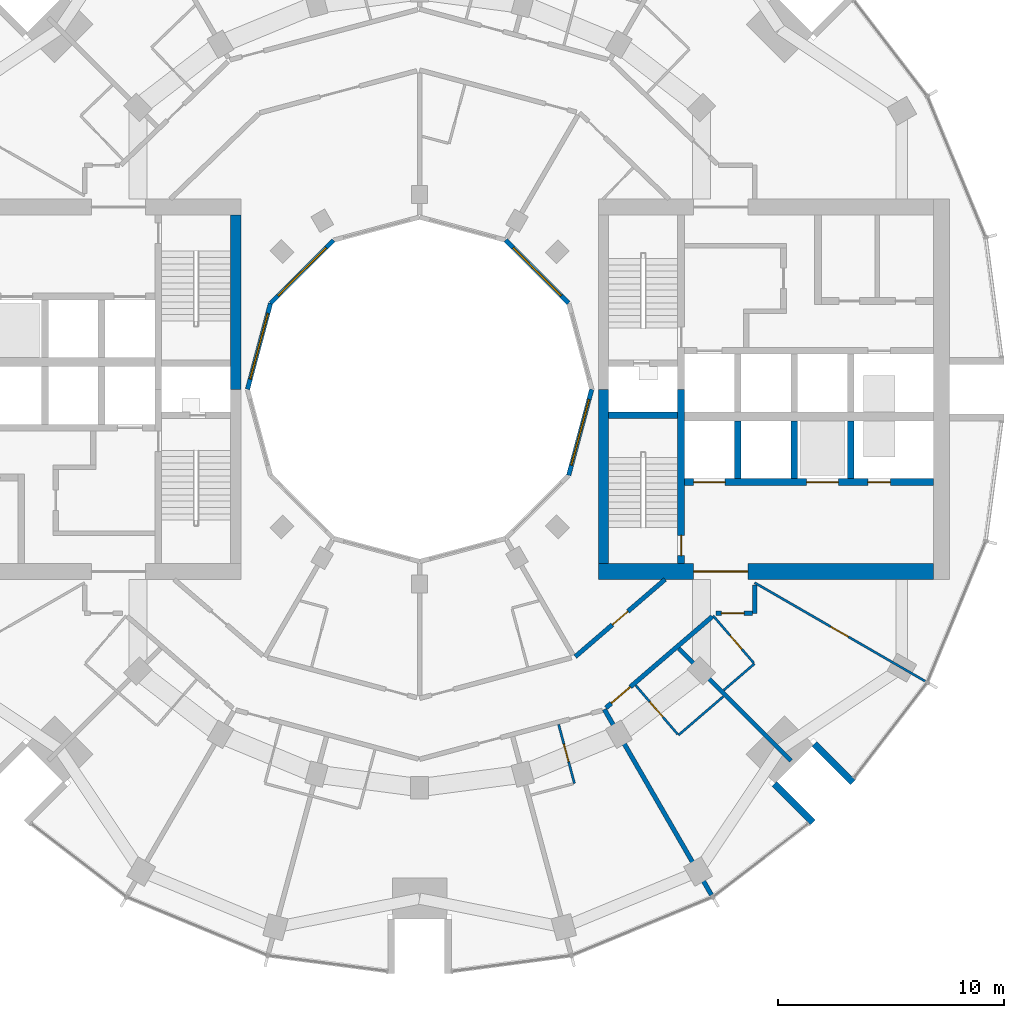
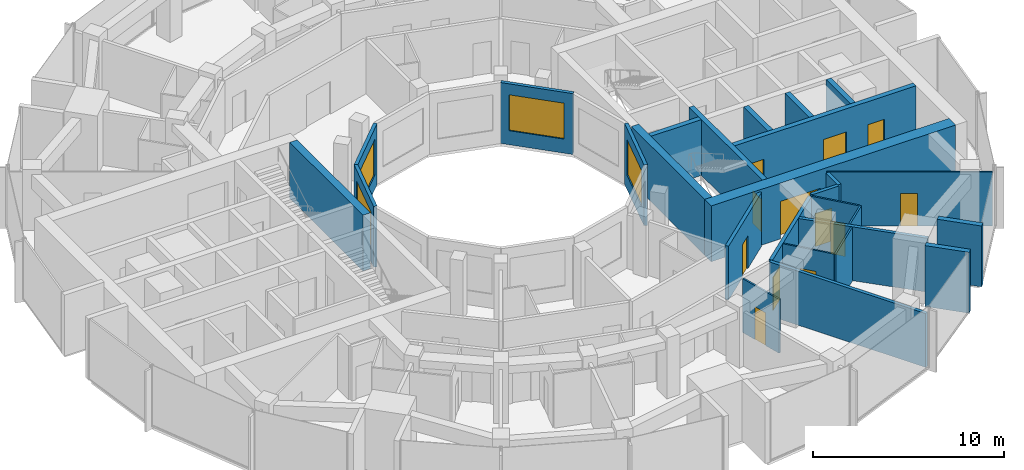
# One storey, part 10 of 15: 27 walls, 12 doors, 4 windows, 16 openings.
"""IFC4 building model written with IfcOpenShell, lengths in metres."""

from ifc_helpers import new_model, si_unit, direction, frame, frame_2d, origin, place, context, subcontext, project, spatial, rectangle, extrude, material, layer, layer_set, type_object, element, fill, save


model = new_model("IFC4")

# Units and contexts
model_context = context("Model", 3, precision=1e-05, world=origin(), true_north=direction((0.0, 1.0)))
body_context = subcontext(model_context, "Body", "Model", "MODEL_VIEW")
ifc_project = project(units=[si_unit("LENGTHUNIT", "METRE"), si_unit("AREAUNIT", "SQUARE_METRE"), si_unit("VOLUMEUNIT", "CUBIC_METRE"), si_unit("PLANEANGLEUNIT", "RADIAN"), si_unit("MASSUNIT", "GRAM", prefix="KILO")], contexts=[model_context])

# Site, building, storey
site_placement = place(None, origin())
site = spatial("IfcSite", under=ifc_project, at=site_placement, CompositionType="ELEMENT")
building_placement = place(site_placement, origin())
building = spatial("IfcBuilding", under=site, at=building_placement, Name="Torre Brocal", CompositionType="ELEMENT")
storey_placement = place(building_placement, frame((0.0, 0.0, 114.60009765625)))
storey = spatial("IfcBuildingStorey", under=building, at=storey_placement, Name="L26", CompositionType="ELEMENT", Elevation=114.60009765625)

# Wall, opening, door
ifc_material_1 = material(Name="Concrete C70", Category="concrete")
ifc_layer_1 = layer(ifc_material_1, 0.300048828125)
ifc_layer_set_1 = layer_set([ifc_layer_1], Name="Concrete C70")
wall_type_1 = type_object("IfcWallType", Name="CORE WALL 300 C70", PredefinedType="SHEAR", material=ifc_layer_set_1)
wall_1_placement = place(storey_placement, frame((91.550048828125, 67.300048828125, 0.0), z_axis=(0.0, 0.0, 1.0), x_axis=(0.0, 1.0, 0.0)))
wall_1 = element("IfcWall", 1, at=wall_1_placement, inside=storey, type_object=wall_type_1, Name="Wall CW300-70", PredefinedType="SHEAR", context=body_context, shape_type="SweptSolid", body=[
    extrude(rectangle(XDim=7.699951171875, YDim=0.300048828125, at=frame_2d((3.85009765625, 0.0))), origin(), (0.0, 0.0, 1.0), 3.579833984375),
])
opening_1_placement = place(wall_1_placement, frame((0.35009765625, 0.0, 0.0)))
opening_1 = element("IfcOpeningElement", 2, at=opening_1_placement, cuts=wall_1, Name="Opening E-D03", PredefinedType="OPENING", context=body_context, shape_type="SweptSolid", body=[
    extrude(rectangle(XDim=0.89990234375, YDim=2.10009765625, at=frame_2d((0.449951171875, 1.050048828125))), frame((0.0, 0.159912109375, 0.0), z_axis=(0.0, -1.0, 0.0), x_axis=(1.0, 0.0, 0.0)), (0.0, 0.0, 1.0), 0.320068359375),
])
ifc_material_2 = material(Name="Steel A653", Category="steel")
door_type_1 = type_object("IfcDoorType", Name="STAIR DOOR FD120 900X2100", OperationType="SINGLE_SWING_RIGHT", PredefinedType="DOOR", material=ifc_material_2)
door_1_placement = place(opening_1_placement, origin())
door_1 = element("IfcDoor", 3, at=door_1_placement, inside=storey, type_object=door_type_1, Name="Door E-D03", OperationType="SINGLE_SWING_LEFT", OverallHeight=2.10009765625, OverallWidth=0.89990234375, PredefinedType="DOOR", context=body_context, shape_type="SweptSolid", body=[
    extrude(rectangle(XDim=0.89990234375, YDim=2.10009765625, at=frame_2d((0.449951171875, 1.050048828125))), frame((0.0, 0.02490234375, 0.0), z_axis=(0.0, -1.0, 0.0), x_axis=(1.0, 0.0, 0.0)), (0.0, 0.0, 1.0), 0.050048828125),
])
fill(opening_1, door_1)

# Wall
wall_2_placement = place(storey_placement, frame((88.35009765625, 73.85009765625, 0.0), z_axis=(0.0, 0.0, 1.0), x_axis=(1.0, 0.0, 0.0)))
element("IfcWall", 4, at=wall_2_placement, inside=storey, type_object=wall_type_1, Name="Wall CW300-70", PredefinedType="SHEAR", context=body_context, shape_type="SweptSolid", body=[
    extrude(rectangle(XDim=3.0498046875, YDim=0.300048828125, at=frame_2d((1.52490234375, 0.0))), origin(), (0.0, 0.0, 1.0), 3.579833984375),
])

# Wall, openings, doors
wall_3_placement = place(storey_placement, frame((91.699951171875, 70.89990234375, 0.0), z_axis=(0.0, 0.0, 1.0), x_axis=(1.0, 0.0, 0.0)))
wall_3 = element("IfcWall", 5, at=wall_3_placement, inside=storey, type_object=wall_type_1, Name="Wall CW300-70", PredefinedType="SHEAR", context=body_context, shape_type="SweptSolid", body=[
    extrude(rectangle(XDim=11.0, YDim=0.300048828125, at=frame_2d((5.5, 0.0))), origin(), (0.0, 0.0, 1.0), 3.579833984375),
])
opening_2_placement = place(wall_3_placement, frame((0.39990234375, 0.0, 0.0)))
opening_2 = element("IfcOpeningElement", 6, at=opening_2_placement, cuts=wall_3, Name="Opening LD14", PredefinedType="OPENING", context=body_context, shape_type="SweptSolid", body=[
    extrude(rectangle(XDim=1.39990234375, YDim=2.10009765625, at=frame_2d((0.699951171875, 1.050048828125))), frame((0.0, 0.159912109375, 0.0), z_axis=(0.0, -1.0, 0.0), x_axis=(1.0, 0.0, 0.0)), (0.0, 0.0, 1.0), 0.320068359375),
])
opening_3_placement = place(wall_3_placement, frame((5.39990234375, 0.0, 0.0)))
opening_3 = element("IfcOpeningElement", 7, at=opening_3_placement, cuts=wall_3, Name="Opening LD14", PredefinedType="OPENING", context=body_context, shape_type="SweptSolid", body=[
    extrude(rectangle(XDim=1.39990234375, YDim=2.10009765625, at=frame_2d((0.699951171875, 1.050048828125))), frame((0.0, 0.159912109375, 0.0), z_axis=(0.0, -1.0, 0.0), x_axis=(1.0, 0.0, 0.0)), (0.0, 0.0, 1.0), 0.320068359375),
])
opening_4_placement = place(wall_3_placement, frame((8.10009765625, 0.0, 0.0)))
opening_4 = element("IfcOpeningElement", 8, at=opening_4_placement, cuts=wall_3, Name="Opening LD10", PredefinedType="OPENING", context=body_context, shape_type="SweptSolid", body=[
    extrude(rectangle(XDim=1.0, YDim=2.10009765625, at=frame_2d((0.5, 1.050048828125))), frame((0.0, 0.159912109375, 0.0), z_axis=(0.0, -1.0, 0.0), x_axis=(1.0, 0.0, 0.0)), (0.0, 0.0, 1.0), 0.320068359375),
])
ifc_material_3 = material(Name="Stainless steel AISI 316", Category="steel")
door_type_2 = type_object("IfcDoorType", Name="LIFT LANDING DOOR 1000X2100", OperationType="DOUBLE_DOOR_SLIDING", PredefinedType="DOOR", material=ifc_material_3)
door_2_placement = place(opening_4_placement, origin())
door_2 = element("IfcDoor", 9, at=door_2_placement, inside=storey, type_object=door_type_2, Name="Door LD10", OperationType="DOUBLE_DOOR_SLIDING", OverallHeight=2.10009765625, OverallWidth=1.0, PredefinedType="DOOR", context=body_context, shape_type="SweptSolid", body=[
    extrude(rectangle(XDim=1.0, YDim=2.10009765625, at=frame_2d((0.5, 1.050048828125))), frame((0.0, 0.02490234375, 0.0), z_axis=(0.0, -1.0, 0.0), x_axis=(1.0, 0.0, 0.0)), (0.0, 0.0, 1.0), 0.050048828125),
])
fill(opening_4, door_2)
ifc_material_4 = material(Name="Stainless steel AISI 316", Category="steel")
door_type_3 = type_object("IfcDoorType", Name="LIFT LANDING DOOR 1400X2100", OperationType="DOUBLE_DOOR_SLIDING", PredefinedType="DOOR", material=ifc_material_4)
door_3_placement = place(opening_2_placement, origin())
door_3 = element("IfcDoor", 10, at=door_3_placement, inside=storey, type_object=door_type_3, Name="Door LD14", OperationType="DOUBLE_DOOR_SLIDING", OverallHeight=2.10009765625, OverallWidth=1.39990234375, PredefinedType="DOOR", context=body_context, shape_type="SweptSolid", body=[
    extrude(rectangle(XDim=1.39990234375, YDim=2.10009765625, at=frame_2d((0.699951171875, 1.050048828125))), frame((0.0, 0.02490234375, 0.0), z_axis=(0.0, -1.0, 0.0), x_axis=(1.0, 0.0, 0.0)), (0.0, 0.0, 1.0), 0.050048828125),
])
fill(opening_2, door_3)
door_4_placement = place(opening_3_placement, origin())
door_4 = element("IfcDoor", 11, at=door_4_placement, inside=storey, type_object=door_type_3, Name="Door LD14", OperationType="DOUBLE_DOOR_SLIDING", OverallHeight=2.10009765625, OverallWidth=1.39990234375, PredefinedType="DOOR", context=body_context, shape_type="SweptSolid", body=[
    extrude(rectangle(XDim=1.39990234375, YDim=2.10009765625, at=frame_2d((0.699951171875, 1.050048828125))), frame((0.0, 0.02490234375, 0.0), z_axis=(0.0, -1.0, 0.0), x_axis=(1.0, 0.0, 0.0)), (0.0, 0.0, 1.0), 0.050048828125),
])
fill(opening_3, door_4)

# Walls
for number, where, z_axis, x_axis, name in (
    (12, (94.050048828125, 71.050048828125, 0.0), (0.0, 0.0, 1.0), (0.0, 1.0, 0.0), "Wall CW300-70"),
    (13, (96.550048828125, 71.050048828125, 0.0), (0.0, 0.0, 1.0), (0.0, 1.0, 0.0), "Wall CW300-70"),
    (14, (99.050048828125, 71.050048828125, 0.0), (0.0, 0.0, 1.0), (0.0, 1.0, 0.0), "Wall CW300-70"),
):
    element("IfcWall", number, at=place(storey_placement, frame(where, z_axis=z_axis, x_axis=x_axis)), inside=storey, type_object=wall_type_1, Name=name, PredefinedType="SHEAR", context=body_context, shape_type="SweptSolid", body=[
        extrude(rectangle(XDim=2.550048828125, YDim=0.300048828125, at=frame_2d((1.27490234375, 0.0))), origin(), (0.0, 0.0, 1.0), 3.579833984375),
    ])
ifc_material_5 = material(Name="Concrete C70", Category="concrete")
ifc_layer_2 = layer(ifc_material_5, 0.449951171875)
ifc_layer_set_2 = layer_set([ifc_layer_2], Name="Concrete C70")
wall_type_2 = type_object("IfcWallType", Name="CORE WALL 450 C70", PredefinedType="SHEAR", material=ifc_layer_set_2)
for number, where, z_axis, x_axis, name in (
    (15, (88.125, 67.300048828125, 0.0), (0.0, 0.0, 1.0), (0.0, 1.0, 0.0), "Wall CW450-70"),
    (16, (71.875, 82.699951171875, 0.0), (0.0, 0.0, 1.0), (0.0, -1.0, 0.0), "Wall CW450-70"),
):
    element("IfcWall", number, at=place(storey_placement, frame(where, z_axis=z_axis, x_axis=x_axis)), inside=storey, type_object=wall_type_2, Name=name, PredefinedType="SHEAR", context=body_context, shape_type="SweptSolid", body=[
        extrude(rectangle(XDim=7.699951171875, YDim=0.449951171875, at=frame_2d((3.85009765625, 0.0))), origin(), (0.0, 0.0, 1.0), 3.579833984375),
    ])

# Wall, opening, door
ifc_material_6 = material(Name="Concrete C70", Category="concrete")
ifc_layer_3 = layer(ifc_material_6, 0.699951171875)
ifc_layer_set_3 = layer_set([ifc_layer_3], Name="Concrete C70")
wall_type_3 = type_object("IfcWallType", Name="CORE WALL 700 C70", PredefinedType="SHEAR", material=ifc_layer_set_3)
wall_4_placement = place(storey_placement, frame((87.89990234375, 66.949951171875, 0.0), z_axis=(0.0, 0.0, 1.0), x_axis=(1.0, 0.0, 0.0)))
wall_4 = element("IfcWall", 17, at=wall_4_placement, inside=storey, type_object=wall_type_3, Name="Wall CW700-70", PredefinedType="SHEAR", context=body_context, shape_type="SweptSolid", body=[
    extrude(rectangle(XDim=14.800048828125, YDim=0.699951171875, at=frame_2d((7.39990234375, 0.0))), origin(), (0.0, 0.0, 1.0), 3.579833984375),
])
opening_5_placement = place(wall_4_placement, frame((4.199951171875, 0.0, 0.0)))
opening_5 = element("IfcOpeningElement", 18, at=opening_5_placement, cuts=wall_4, Name="Opening E-D27", PredefinedType="OPENING", context=body_context, shape_type="SweptSolid", body=[
    extrude(rectangle(XDim=2.39990234375, YDim=2.39990234375, at=frame_2d((1.199951171875, 1.199951171875))), frame((0.0, 0.35986328125, 0.0), z_axis=(0.0, -1.0, 0.0), x_axis=(1.0, 0.0, 0.0)), (0.0, 0.0, 1.0), 0.719970703125),
])
ifc_material_7 = material(Name="Steel A653", Category="steel")
door_type_4 = type_object("IfcDoorType", Name="DOUBLE FIRE DOOR FD90 2400X2400", OperationType="DOUBLE_DOOR_SINGLE_SWING", PredefinedType="DOOR", material=ifc_material_7)
door_5_placement = place(opening_5_placement, origin())
door_5 = element("IfcDoor", 19, at=door_5_placement, inside=storey, type_object=door_type_4, Name="Door E-D27", OperationType="DOUBLE_DOOR_SINGLE_SWING", OverallHeight=2.39990234375, OverallWidth=2.39990234375, PredefinedType="DOOR", context=body_context, shape_type="SweptSolid", body=[
    extrude(rectangle(XDim=2.39990234375, YDim=2.39990234375, at=frame_2d((1.199951171875, 1.199951171875))), frame((0.0, 0.02490234375, 0.0), z_axis=(0.0, -1.0, 0.0), x_axis=(1.0, 0.0, 0.0)), (0.0, 0.0, 1.0), 0.050048828125),
])
fill(opening_5, door_5)

# Walls
ifc_material_8 = material(Name="Concrete C70", Category="concrete")
ifc_layer_4 = layer(ifc_material_8, 0.300048828125)
ifc_layer_set_4 = layer_set([ifc_layer_4], Name="Concrete C70")
wall_type_4 = type_object("IfcWallType", Name="NOTCH RETURN WALL 300 C70", PredefinedType="NOTDEFINED", material=ifc_layer_set_4)
for number, where, z_axis, x_axis, name in (
    (20, (95.662353515625, 57.56982421875, 0.0), (0.0, 0.0, 1.0), (0.707106781187, -0.707106781187, 0.0), "NOTCH RETURN WALL"),
    (21, (97.43017578125, 59.337646484375, 0.0), (0.0, 0.0, 1.0), (0.707106781187, -0.707106781187, 0.0), "NOTCH RETURN WALL"),
):
    element("IfcWall", number, at=place(storey_placement, frame(where, z_axis=z_axis, x_axis=x_axis)), inside=storey, type_object=wall_type_4, Name=name, PredefinedType="NOTDEFINED", context=body_context, shape_type="SweptSolid", body=[
        extrude(rectangle(XDim=2.415771484375, YDim=0.300048828125, at=frame_2d((1.2080078125, 0.0))), origin(), (0.0, 0.0, 1.0), 3.89990234375),
    ])

# Wall, opening, door
ifc_material_9 = material(Name="Gypsum board", Category="Gypsum")
ifc_layer_5 = layer(ifc_material_9, 0.10009765625)
ifc_layer_set_5 = layer_set([ifc_layer_5], Name="Gypsum board")
wall_type_5 = type_object("IfcWallType", Name="PARTITION 100", PredefinedType="PARTITIONING", material=ifc_layer_set_5)
wall_5_placement = place(storey_placement, frame((86.139892578125, 60.196044921875, 0.0), z_axis=(0.0, 0.0, 1.0), x_axis=(0.258945475746, -0.965891940432, 0.0)))
wall_5 = element("IfcWall", 22, at=wall_5_placement, inside=storey, type_object=wall_type_5, Name="BATHROOM WALL", PredefinedType="PARTITIONING", context=body_context, shape_type="SweptSolid", body=[
    extrude(rectangle(XDim=2.7001953125, YDim=0.10009765625, at=frame_2d((1.35009765625, 0.0))), origin(), (0.0, 0.0, 1.0), 3.449951171875),
])
opening_6_placement = place(wall_5_placement, frame((0.89990234375, 0.0, 0.0)))
opening_6 = element("IfcOpeningElement", 23, at=opening_6_placement, cuts=wall_5, Name="Opening E01-D25", PredefinedType="OPENING", context=body_context, shape_type="SweptSolid", body=[
    extrude(rectangle(XDim=0.800048828125, YDim=2.10009765625, at=frame_2d((0.39990234375, 1.050048828125))), frame((0.0, 0.06005859375, 0.0), z_axis=(0.0, -1.0, 0.0), x_axis=(1.0, 0.0, 0.0)), (0.0, 0.0, 1.0), 0.1201171875),
])
ifc_material_10 = material(Name="Timber", Category="wood")
door_type_5 = type_object("IfcDoorType", Name="BATHROOM DOOR 800X2100", OperationType="SINGLE_SWING_LEFT", PredefinedType="DOOR", material=ifc_material_10)
door_6_placement = place(opening_6_placement, frame((0.800048828125, 0.0, 0.0), z_axis=(0.0, 0.0, 1.0), x_axis=(-1.0, 0.0, 0.0)))
door_6 = element("IfcDoor", 24, at=door_6_placement, inside=storey, type_object=door_type_5, Name="E01-D25", OperationType="SINGLE_SWING_RIGHT", OverallHeight=2.10009765625, OverallWidth=0.800048828125, PredefinedType="DOOR", context=body_context, shape_type="SweptSolid", body=[
    extrude(rectangle(XDim=0.800048828125, YDim=2.10009765625, at=frame_2d((0.39990234375, 1.050048828125))), frame((0.0, 0.02490234375, 0.0), z_axis=(0.0, -1.0, 0.0), x_axis=(1.0, 0.0, 0.0)), (0.0, 0.0, 1.0), 0.050048828125),
])
fill(opening_6, door_6)

wall_6_placement = place(storey_placement, frame((89.543212890625, 61.9208984375, 0.0), z_axis=(0.0, 0.0, 1.0), x_axis=(0.651996917864, -0.758221616083, 0.0)))
wall_6 = element("IfcWall", 25, at=wall_6_placement, inside=storey, type_object=wall_type_5, Name="BATHROOM WALL", PredefinedType="PARTITIONING", context=body_context, shape_type="SweptSolid", body=[
    extrude(rectangle(XDim=2.849853515625, YDim=0.10009765625, at=frame_2d((1.4248046875, 0.0))), origin(), (0.0, 0.0, 1.0), 3.449951171875),
])
opening_7_placement = place(wall_6_placement, frame((0.949951171875, 0.0, 0.0)))
opening_7 = element("IfcOpeningElement", 26, at=opening_7_placement, cuts=wall_6, Name="Opening E01-D23", PredefinedType="OPENING", context=body_context, shape_type="SweptSolid", body=[
    extrude(rectangle(XDim=0.89990234375, YDim=2.10009765625, at=frame_2d((0.449951171875, 1.050048828125))), frame((0.0, 0.06005859375, 0.0), z_axis=(0.0, -1.0, 0.0), x_axis=(1.0, 0.0, 0.0)), (0.0, 0.0, 1.0), 0.1201171875),
])
ifc_material_11 = material(Name="Timber", Category="wood")
door_type_6 = type_object("IfcDoorType", Name="ACCESSIBLE BATHROOM DOOR 900X2100", OperationType="SINGLE_SWING_LEFT", PredefinedType="DOOR", material=ifc_material_11)
door_7_placement = place(opening_7_placement, origin())
door_7 = element("IfcDoor", 27, at=door_7_placement, inside=storey, type_object=door_type_6, Name="E01-D23", OperationType="SINGLE_SWING_LEFT", OverallHeight=2.10009765625, OverallWidth=0.89990234375, PredefinedType="DOOR", context=body_context, shape_type="SweptSolid", body=[
    extrude(rectangle(XDim=0.89990234375, YDim=2.10009765625, at=frame_2d((0.449951171875, 1.050048828125))), frame((0.0, 0.02490234375, 0.0), z_axis=(0.0, -1.0, 0.0), x_axis=(1.0, 0.0, 0.0)), (0.0, 0.0, 1.0), 0.050048828125),
])
fill(opening_7, door_7)

# Wall
wall_7_placement = place(storey_placement, frame((91.43408203125, 59.721923828125, 0.0), z_axis=(0.0, 0.0, 1.0), x_axis=(0.758076316785, 0.652165851552, 0.0)))
element("IfcWall", 28, at=wall_7_placement, inside=storey, type_object=wall_type_5, Name="BATHROOM WALL", PredefinedType="PARTITIONING", context=body_context, shape_type="SweptSolid", body=[
    extrude(rectangle(XDim=2.616455078125, YDim=0.10009765625, at=frame_2d((1.30810546875, 0.0))), origin(), (0.0, 0.0, 1.0), 3.449951171875),
])

# Wall, opening, door
wall_8_placement = place(storey_placement, frame((92.965087890625, 64.996826171875, 0.0), z_axis=(0.0, 0.0, 1.0), x_axis=(0.652069888227, -0.758158862553, 0.0)))
wall_8 = element("IfcWall", 29, at=wall_8_placement, inside=storey, type_object=wall_type_5, Name="BATHROOM WALL", PredefinedType="PARTITIONING", context=body_context, shape_type="SweptSolid", body=[
    extrude(rectangle(XDim=2.75, YDim=0.10009765625, at=frame_2d((1.375, 0.0))), origin(), (0.0, 0.0, 1.0), 3.449951171875),
])
opening_8_placement = place(wall_8_placement, frame((1.14990234375, 0.0, 0.0)))
opening_8 = element("IfcOpeningElement", 30, at=opening_8_placement, cuts=wall_8, Name="Opening E01-D20", PredefinedType="OPENING", context=body_context, shape_type="SweptSolid", body=[
    extrude(rectangle(XDim=0.800048828125, YDim=2.10009765625, at=frame_2d((0.39990234375, 1.050048828125))), frame((0.0, 0.06005859375, 0.0), z_axis=(0.0, -1.0, 0.0), x_axis=(1.0, 0.0, 0.0)), (0.0, 0.0, 1.0), 0.1201171875),
])
door_8_placement = place(opening_8_placement, frame((0.800048828125, 0.0, 0.0), z_axis=(0.0, 0.0, 1.0), x_axis=(-1.0, 0.0, 0.0)))
door_8 = element("IfcDoor", 31, at=door_8_placement, inside=storey, type_object=door_type_5, Name="E01-D20", OperationType="SINGLE_SWING_LEFT", OverallHeight=2.10009765625, OverallWidth=0.800048828125, PredefinedType="DOOR", context=body_context, shape_type="SweptSolid", body=[
    extrude(rectangle(XDim=0.800048828125, YDim=2.10009765625, at=frame_2d((0.39990234375, 1.050048828125))), frame((0.0, 0.02490234375, 0.0), z_axis=(0.0, -1.0, 0.0), x_axis=(1.0, 0.0, 0.0)), (0.0, 0.0, 1.0), 0.050048828125),
])
fill(opening_8, door_8)

# Wall
wall_9_placement = place(storey_placement, frame((93.434814453125, 61.707275390625, 0.0), z_axis=(0.0, 0.0, 1.0), x_axis=(0.758070495124, 0.652172618578, 0.0)))
element("IfcWall", 32, at=wall_9_placement, inside=storey, type_object=wall_type_5, Name="BATHROOM WALL", PredefinedType="PARTITIONING", context=body_context, shape_type="SweptSolid", body=[
    extrude(rectangle(XDim=1.7890625, YDim=0.10009765625, at=frame_2d((0.89453125, 0.0))), origin(), (0.0, 0.0, 1.0), 3.449951171875),
])

# Wall, opening, door
wall_10_placement = place(storey_placement, frame((94.800048828125, 66.455078125, 0.0), z_axis=(0.0, 0.0, 1.0), x_axis=(0.86602264145, -0.500004784474, 0.0)))
wall_10 = element("IfcWall", 33, at=wall_10_placement, inside=storey, type_object=wall_type_5, Name="ROOM PARTITION", PredefinedType="PARTITIONING", context=body_context, shape_type="SweptSolid", body=[
    extrude(rectangle(XDim=8.7080078125, YDim=0.10009765625, at=frame_2d((4.35400390625, 0.0))), origin(), (0.0, 0.0, 1.0), 3.449951171875),
])
opening_9_placement = place(wall_10_placement, frame((3.87890625, 0.0, 0.0)))
opening_9 = element("IfcOpeningElement", 34, at=opening_9_placement, cuts=wall_10, Name="Opening E01-D21", PredefinedType="OPENING", context=body_context, shape_type="SweptSolid", body=[
    extrude(rectangle(XDim=0.89990234375, YDim=2.10009765625, at=frame_2d((0.449951171875, 1.050048828125))), frame((0.0, 0.06005859375, 0.0), z_axis=(0.0, -1.0, 0.0), x_axis=(1.0, 0.0, 0.0)), (0.0, 0.0, 1.0), 0.1201171875),
])
ifc_material_12 = material(Name="Timber", Category="wood")
door_type_7 = type_object("IfcDoorType", Name="ROOM DOOR 900X2100", OperationType="SINGLE_SWING_LEFT", PredefinedType="DOOR", material=ifc_material_12)
door_9_placement = place(opening_9_placement, origin())
door_9 = element("IfcDoor", 35, at=door_9_placement, inside=storey, type_object=door_type_7, Name="E01-D21", OperationType="SINGLE_SWING_LEFT", OverallHeight=2.10009765625, OverallWidth=0.89990234375, PredefinedType="DOOR", context=body_context, shape_type="SweptSolid", body=[
    extrude(rectangle(XDim=0.89990234375, YDim=2.10009765625, at=frame_2d((0.449951171875, 1.050048828125))), frame((0.0, 0.02490234375, 0.0), z_axis=(0.0, -1.0, 0.0), x_axis=(1.0, 0.0, 0.0)), (0.0, 0.0, 1.0), 0.050048828125),
])
fill(opening_9, door_9)

ifc_material_13 = material(Name="Gypsum board", Category="Gypsum")
ifc_layer_6 = layer(ifc_material_13, 0.199951171875)
ifc_layer_set_6 = layer_set([ifc_layer_6], Name="Gypsum board")
wall_type_6 = type_object("IfcWallType", Name="PARTITION 200 EI60", PredefinedType="PARTITIONING", material=ifc_layer_set_6)
wall_11_placement = place(storey_placement, frame((86.876953125, 63.18896484375, 0.0), z_axis=(0.0, 0.0, 1.0), x_axis=(0.758075808328, 0.652166442581, 0.0)))
wall_11 = element("IfcWall", 36, at=wall_11_placement, inside=storey, type_object=wall_type_6, Name="CORRIDOR WALL", PredefinedType="PARTITIONING", context=body_context, shape_type="SweptSolid", body=[
    extrude(rectangle(XDim=5.23046875, YDim=0.199951171875, at=frame_2d((2.615234375, 0.0))), origin(), (0.0, 0.0, 1.0), 3.449951171875),
])
opening_10_placement = place(wall_11_placement, frame((2.165283203125, 0.0, 0.0)))
opening_10 = element("IfcOpeningElement", 37, at=opening_10_placement, cuts=wall_11, Name="Opening E01-D35", PredefinedType="OPENING", context=body_context, shape_type="SweptSolid", body=[
    extrude(rectangle(XDim=0.89990234375, YDim=2.10009765625, at=frame_2d((0.449951171875, 1.050048828125))), frame((0.0, 0.10986328125, 0.0), z_axis=(0.0, -1.0, 0.0), x_axis=(1.0, 0.0, 0.0)), (0.0, 0.0, 1.0), 0.219970703125),
])
door_10_placement = place(opening_10_placement, origin())
door_10 = element("IfcDoor", 38, at=door_10_placement, inside=storey, type_object=door_type_7, Name="E01-D35", OperationType="SINGLE_SWING_RIGHT", OverallHeight=2.10009765625, OverallWidth=0.89990234375, PredefinedType="DOOR", context=body_context, shape_type="SweptSolid", body=[
    extrude(rectangle(XDim=0.89990234375, YDim=2.10009765625, at=frame_2d((0.449951171875, 1.050048828125))), frame((0.0, 0.02490234375, 0.0), z_axis=(0.0, -1.0, 0.0), x_axis=(1.0, 0.0, 0.0)), (0.0, 0.0, 1.0), 0.050048828125),
])
fill(opening_10, door_10)

wall_12_placement = place(storey_placement, frame((88.234619140625, 60.931396484375, 0.0), z_axis=(0.0, 0.0, 1.0), x_axis=(0.758816241808, 0.651304775945, 0.0)))
wall_12 = element("IfcWall", 39, at=wall_12_placement, inside=storey, type_object=wall_type_6, Name="GUESTROOM CORRIDOR WALL", PredefinedType="PARTITIONING", context=body_context, shape_type="SweptSolid", body=[
    extrude(rectangle(XDim=6.185791015625, YDim=0.199951171875, at=frame_2d((3.0927734375, 0.0))), origin(), (0.0, 0.0, 1.0), 3.449951171875),
])
opening_11_placement = place(wall_12_placement, frame((0.3076171875, 0.0, 0.0)))
opening_11 = element("IfcOpeningElement", 40, at=opening_11_placement, cuts=wall_12, Name="Opening E01-D22", PredefinedType="OPENING", context=body_context, shape_type="SweptSolid", body=[
    extrude(rectangle(XDim=1.10009765625, YDim=2.10009765625, at=frame_2d((0.550048828125, 1.050048828125))), frame((0.0, 0.10986328125, 0.0), z_axis=(0.0, -1.0, 0.0), x_axis=(1.0, 0.0, 0.0)), (0.0, 0.0, 1.0), 0.219970703125),
])
ifc_material_14 = material(Name="Timber", Category="wood")
door_type_8 = type_object("IfcDoorType", Name="ACCESSIBLE ENTRY DOOR FD30S 1100X2100", OperationType="SINGLE_SWING_RIGHT", PredefinedType="DOOR", material=ifc_material_14)
door_11_placement = place(opening_11_placement, frame((1.10009765625, 0.0, 0.0), z_axis=(0.0, 0.0, 1.0), x_axis=(-1.0, 0.0, 0.0)))
door_11 = element("IfcDoor", 41, at=door_11_placement, inside=storey, type_object=door_type_8, Name="E01-D22", OperationType="SINGLE_SWING_LEFT", OverallHeight=2.10009765625, OverallWidth=1.10009765625, PredefinedType="DOOR", context=body_context, shape_type="SweptSolid", body=[
    extrude(rectangle(XDim=1.10009765625, YDim=2.10009765625, at=frame_2d((0.550048828125, 1.050048828125))), frame((0.0, 0.02490234375, 0.0), z_axis=(0.0, -1.0, 0.0), x_axis=(1.0, 0.0, 0.0)), (0.0, 0.0, 1.0), 0.050048828125),
])
fill(opening_11, door_11)

# Walls
wall_13_placement = place(storey_placement, frame((88.1591796875, 60.86279296875, 0.0), z_axis=(0.0, 0.0, 1.0), x_axis=(0.499935840196, -0.866062443296, 0.0)))
element("IfcWall", 42, at=wall_13_placement, inside=storey, type_object=wall_type_6, Name="PARTY PARTITION", PredefinedType="PARTITIONING", context=body_context, shape_type="SweptSolid", body=[
    extrude(rectangle(XDim=9.474853515625, YDim=0.199951171875, at=frame_2d((4.7373046875, 0.0))), origin(), (0.0, 0.0, 1.0), 3.449951171875),
])
wall_14_placement = place(storey_placement, frame((91.44921875, 63.547607421875, 0.0), z_axis=(0.0, 0.0, 1.0), x_axis=(0.706984804638, -0.707228736698, 0.0)))
element("IfcWall", 43, at=wall_14_placement, inside=storey, type_object=wall_type_6, Name="BATHROOM WALL", PredefinedType="PARTITIONING", context=body_context, shape_type="SweptSolid", body=[
    extrude(rectangle(XDim=7.006103515625, YDim=0.199951171875, at=frame_2d((3.5029296875, 0.0))), origin(), (0.0, 0.0, 1.0), 3.449951171875),
])

# Wall, opening, door
wall_15_placement = place(storey_placement, frame((93.0849609375, 65.10009765625, 0.0), z_axis=(0.0, 0.0, 1.0), x_axis=(1.0, 0.0, 0.0)))
wall_15 = element("IfcWall", 44, at=wall_15_placement, inside=storey, type_object=wall_type_6, Name="GUESTROOM CORRIDOR WALL", PredefinedType="PARTITIONING", context=body_context, shape_type="SweptSolid", body=[
    extrude(rectangle(XDim=1.614990234375, YDim=0.199951171875, at=frame_2d((0.8076171875, 0.0))), origin(), (0.0, 0.0, 1.0), 3.449951171875),
])
opening_12_placement = place(wall_15_placement, frame((0.25, 0.0, 0.0)))
opening_12 = element("IfcOpeningElement", 45, at=opening_12_placement, cuts=wall_15, Name="Opening E01-D19", PredefinedType="OPENING", context=body_context, shape_type="SweptSolid", body=[
    extrude(rectangle(XDim=1.0, YDim=2.10009765625, at=frame_2d((0.5, 1.050048828125))), frame((0.0, 0.10986328125, 0.0), z_axis=(0.0, -1.0, 0.0), x_axis=(1.0, 0.0, 0.0)), (0.0, 0.0, 1.0), 0.219970703125),
])
ifc_material_15 = material(Name="Timber", Category="wood")
door_type_9 = type_object("IfcDoorType", Name="FLAT ENTRY DOOR FD30S 1000X2100", OperationType="SINGLE_SWING_RIGHT", PredefinedType="DOOR", material=ifc_material_15)
door_12_placement = place(opening_12_placement, frame((1.0, 0.0, 0.0), z_axis=(0.0, 0.0, 1.0), x_axis=(-1.0, 0.0, 0.0)))
door_12 = element("IfcDoor", 46, at=door_12_placement, inside=storey, type_object=door_type_9, Name="E01-D19", OperationType="SINGLE_SWING_LEFT", OverallHeight=2.10009765625, OverallWidth=1.0, PredefinedType="DOOR", context=body_context, shape_type="SweptSolid", body=[
    extrude(rectangle(XDim=1.0, YDim=2.10009765625, at=frame_2d((0.5, 1.050048828125))), frame((0.0, 0.02490234375, 0.0), z_axis=(0.0, -1.0, 0.0), x_axis=(1.0, 0.0, 0.0)), (0.0, 0.0, 1.0), 0.050048828125),
])
fill(opening_12, door_12)

# Wall
wall_16_placement = place(storey_placement, frame((94.800048828125, 65.10009765625, 0.0), z_axis=(0.0, 0.0, 1.0), x_axis=(0.0, 1.0, 0.0)))
element("IfcWall", 47, at=wall_16_placement, inside=storey, type_object=wall_type_6, Name="GUESTROOM CORRIDOR WALL", PredefinedType="PARTITIONING", context=body_context, shape_type="SweptSolid", body=[
    extrude(rectangle(XDim=1.25, YDim=0.199951171875, at=frame_2d((0.625, 0.0))), origin(), (0.0, 0.0, 1.0), 3.449951171875),
])

# Wall, opening, window
ifc_material_16 = material(Name="Concrete C40", Category="concrete")
ifc_layer_7 = layer(ifc_material_16, 0.199951171875)
ifc_layer_set_7 = layer_set([ifc_layer_7], Name="Concrete C40")
wall_type_7 = type_object("IfcWallType", Name="WELL FACADE WALL 200", PredefinedType="NOTDEFINED", material=ifc_layer_set_7)
wall_17_placement = place(storey_placement, frame((86.5849609375, 78.8017578125, 0.0), z_axis=(0.0, 0.0, 1.0), x_axis=(-0.707106781187, 0.707106781187, 0.0)))
wall_17 = element("IfcWall", 48, at=wall_17_placement, inside=storey, type_object=wall_type_7, Name="WELL FACADE WALL", PredefinedType="NOTDEFINED", context=body_context, shape_type="SweptSolid", body=[
    extrude(rectangle(XDim=3.93603515625, YDim=0.199951171875, at=frame_2d((1.968017578125, 0.0))), origin(), (0.0, 0.0, 1.0), 3.89990234375),
])
opening_13_placement = place(wall_17_placement, frame((0.468017578125, 0.0, 0.89990234375)))
opening_13 = element("IfcOpeningElement", 49, at=opening_13_placement, cuts=wall_17, Name="Opening W1", PredefinedType="OPENING", context=body_context, shape_type="SweptSolid", body=[
    extrude(rectangle(XDim=3.0, YDim=2.300048828125, at=frame_2d((1.5, 1.14990234375))), frame((0.0, 0.10986328125, 0.0), z_axis=(0.0, -1.0, 0.0), x_axis=(1.0, 0.0, 0.0)), (0.0, 0.0, 1.0), 0.219970703125),
])
ifc_material_17 = material(Name="Aluminium and glass", Category="aluminium")
window_type = type_object("IfcWindowType", Name="WELL WINDOW 3000X2300", PartitioningType="SINGLE_PANEL", PredefinedType="WINDOW", material=ifc_material_17)
window_1_placement = place(opening_13_placement, origin())
window_1 = element("IfcWindow", 50, at=window_1_placement, inside=storey, type_object=window_type, Name="WELL WINDOW 3000X2300", OverallHeight=2.300048828125, OverallWidth=3.0, PartitioningType="SINGLE_PANEL", PredefinedType="WINDOW", context=body_context, shape_type="SweptSolid", body=[
    extrude(rectangle(XDim=3.0, YDim=2.300048828125, at=frame_2d((1.5, 1.14990234375))), frame((0.0, 0.030029296875, 0.0), z_axis=(0.0, -1.0, 0.0), x_axis=(1.0, 0.0, 0.0)), (0.0, 0.0, 1.0), 0.06005859375),
])
fill(opening_13, window_1)

wall_18_placement = place(storey_placement, frame((76.1982421875, 81.5849609375, 0.0), z_axis=(0.0, 0.0, 1.0), x_axis=(-0.707106781187, -0.707106781187, 0.0)))
wall_18 = element("IfcWall", 51, at=wall_18_placement, inside=storey, type_object=wall_type_7, Name="WELL FACADE WALL", PredefinedType="NOTDEFINED", context=body_context, shape_type="SweptSolid", body=[
    extrude(rectangle(XDim=3.93603515625, YDim=0.199951171875, at=frame_2d((1.968017578125, 0.0))), origin(), (0.0, 0.0, 1.0), 3.89990234375),
])
opening_14_placement = place(wall_18_placement, frame((0.468017578125, 0.0, 0.89990234375)))
opening_14 = element("IfcOpeningElement", 52, at=opening_14_placement, cuts=wall_18, Name="Opening W1", PredefinedType="OPENING", context=body_context, shape_type="SweptSolid", body=[
    extrude(rectangle(XDim=3.0, YDim=2.300048828125, at=frame_2d((1.5, 1.14990234375))), frame((0.0, 0.10986328125, 0.0), z_axis=(0.0, -1.0, 0.0), x_axis=(1.0, 0.0, 0.0)), (0.0, 0.0, 1.0), 0.219970703125),
])
window_2_placement = place(opening_14_placement, origin())
window_2 = element("IfcWindow", 53, at=window_2_placement, inside=storey, type_object=window_type, Name="WELL WINDOW 3000X2300", OverallHeight=2.300048828125, OverallWidth=3.0, PartitioningType="SINGLE_PANEL", PredefinedType="WINDOW", context=body_context, shape_type="SweptSolid", body=[
    extrude(rectangle(XDim=3.0, YDim=2.300048828125, at=frame_2d((1.5, 1.14990234375))), frame((0.0, 0.030029296875, 0.0), z_axis=(0.0, -1.0, 0.0), x_axis=(1.0, 0.0, 0.0)), (0.0, 0.0, 1.0), 0.06005859375),
])
fill(opening_14, window_2)

wall_19_placement = place(storey_placement, frame((73.4150390625, 78.8017578125, 0.0), z_axis=(0.0, 0.0, 1.0), x_axis=(-0.258789828301, -0.965933654434, 0.0)))
wall_19 = element("IfcWall", 54, at=wall_19_placement, inside=storey, type_object=wall_type_7, Name="WELL FACADE WALL", PredefinedType="NOTDEFINED", context=body_context, shape_type="SweptSolid", body=[
    extrude(rectangle(XDim=3.935791015625, YDim=0.199951171875, at=frame_2d((1.9677734375, 0.0))), origin(), (0.0, 0.0, 1.0), 3.89990234375),
])
opening_15_placement = place(wall_19_placement, frame((0.468017578125, 0.0, 0.89990234375)))
opening_15 = element("IfcOpeningElement", 55, at=opening_15_placement, cuts=wall_19, Name="Opening W1", PredefinedType="OPENING", context=body_context, shape_type="SweptSolid", body=[
    extrude(rectangle(XDim=3.0, YDim=2.300048828125, at=frame_2d((1.5, 1.14990234375))), frame((0.0, 0.10986328125, 0.0), z_axis=(0.0, -1.0, 0.0), x_axis=(1.0, 0.0, 0.0)), (0.0, 0.0, 1.0), 0.219970703125),
])
window_3_placement = place(opening_15_placement, origin())
window_3 = element("IfcWindow", 56, at=window_3_placement, inside=storey, type_object=window_type, Name="WELL WINDOW 3000X2300", OverallHeight=2.300048828125, OverallWidth=3.0, PartitioningType="SINGLE_PANEL", PredefinedType="WINDOW", context=body_context, shape_type="SweptSolid", body=[
    extrude(rectangle(XDim=3.0, YDim=2.300048828125, at=frame_2d((1.5, 1.14990234375))), frame((0.0, 0.030029296875, 0.0), z_axis=(0.0, -1.0, 0.0), x_axis=(1.0, 0.0, 0.0)), (0.0, 0.0, 1.0), 0.06005859375),
])
fill(opening_15, window_3)

wall_20_placement = place(storey_placement, frame((86.5849609375, 71.1982421875, 0.0), z_axis=(0.0, 0.0, 1.0), x_axis=(0.258789828301, 0.965933654434, 0.0)))
wall_20 = element("IfcWall", 57, at=wall_20_placement, inside=storey, type_object=wall_type_7, Name="WELL FACADE WALL", PredefinedType="NOTDEFINED", context=body_context, shape_type="SweptSolid", body=[
    extrude(rectangle(XDim=3.935791015625, YDim=0.199951171875, at=frame_2d((1.9677734375, 0.0))), origin(), (0.0, 0.0, 1.0), 3.89990234375),
])
opening_16_placement = place(wall_20_placement, frame((0.468017578125, 0.0, 0.89990234375)))
opening_16 = element("IfcOpeningElement", 58, at=opening_16_placement, cuts=wall_20, Name="Opening W1", PredefinedType="OPENING", context=body_context, shape_type="SweptSolid", body=[
    extrude(rectangle(XDim=3.0, YDim=2.300048828125, at=frame_2d((1.5, 1.14990234375))), frame((0.0, 0.10986328125, 0.0), z_axis=(0.0, -1.0, 0.0), x_axis=(1.0, 0.0, 0.0)), (0.0, 0.0, 1.0), 0.219970703125),
])
window_4_placement = place(opening_16_placement, origin())
window_4 = element("IfcWindow", 59, at=window_4_placement, inside=storey, type_object=window_type, Name="WELL WINDOW 3000X2300", OverallHeight=2.300048828125, OverallWidth=3.0, PartitioningType="SINGLE_PANEL", PredefinedType="WINDOW", context=body_context, shape_type="SweptSolid", body=[
    extrude(rectangle(XDim=3.0, YDim=2.300048828125, at=frame_2d((1.5, 1.14990234375))), frame((0.0, 0.030029296875, 0.0), z_axis=(0.0, -1.0, 0.0), x_axis=(1.0, 0.0, 0.0)), (0.0, 0.0, 1.0), 0.06005859375),
])
fill(opening_16, window_4)

save(model, "model.ifc")
